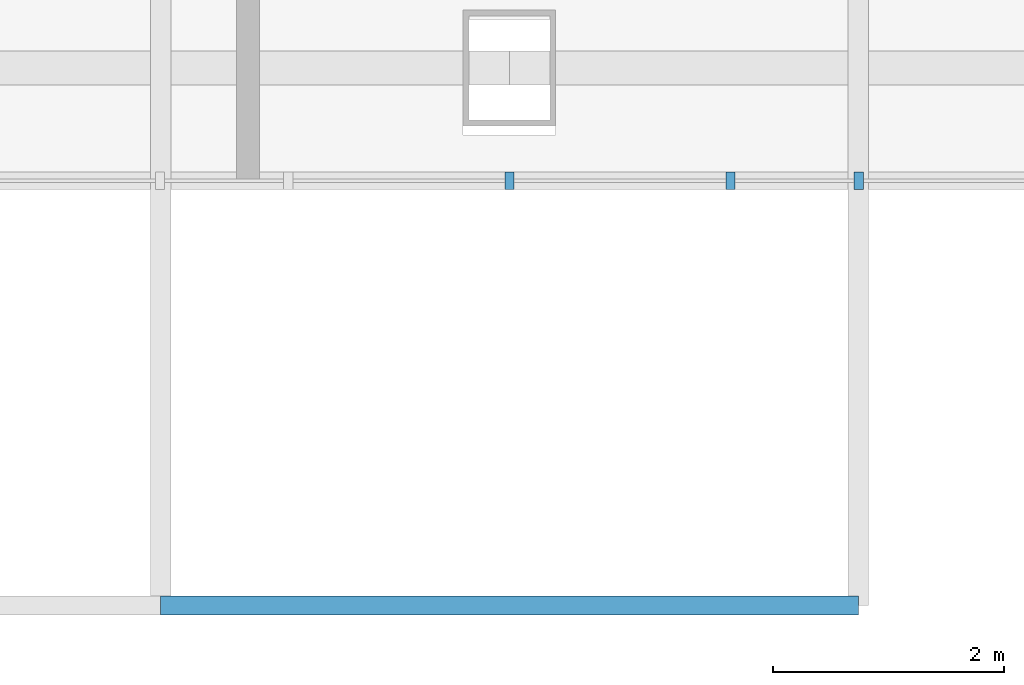
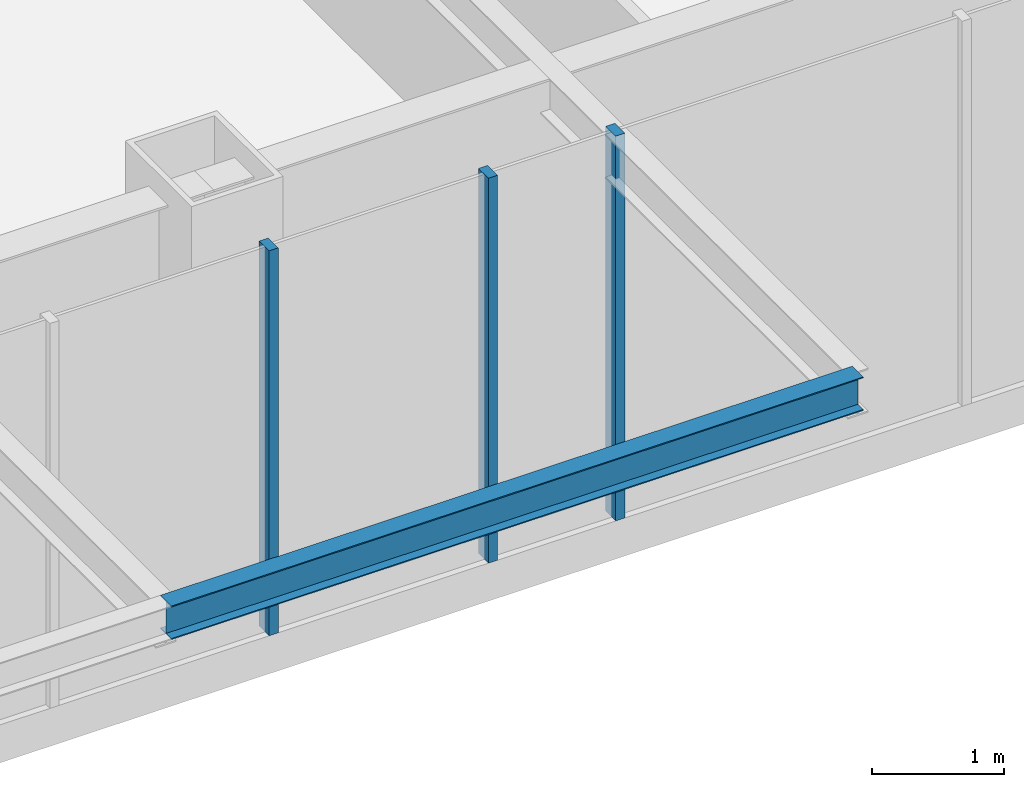
# One storey, part 4 of 35: 3 members, 1 beam, 1 element without a shape of its own.
"""IFC4 building model written with IfcOpenShell, lengths in metres."""

from ifc_helpers import new_model, si_unit, direction, frame, origin, origin_2d, place, context, subcontext, project, spatial, rectangle, i_section, extrude, material, layer, layer_set, material_profile, profile_set, type_object, element, aggregate, save


model = new_model("IFC4")

# Units and contexts
model_context = context("Model", 3, precision=1e-05, world=origin(), true_north=direction((0.0, 1.0)))
body_context = subcontext(model_context, "Body", "Model", "MODEL_VIEW")
ifc_project = project(units=[si_unit("LENGTHUNIT", "METRE"), si_unit("AREAUNIT", "SQUARE_METRE"), si_unit("VOLUMEUNIT", "CUBIC_METRE"), si_unit("PLANEANGLEUNIT", "RADIAN"), si_unit("MASSUNIT", "GRAM", prefix="KILO")], contexts=[model_context])

# Site, building, storey
site_placement = place(None, origin())
site = spatial("IfcSite", under=ifc_project, at=site_placement, CompositionType="ELEMENT")
building_placement = place(site_placement, origin())
building = spatial("IfcBuilding", under=site, at=building_placement, Name="Firuza Gate Tower and Library", CompositionType="ELEMENT")
storey_placement = place(building_placement, frame((0.0, 0.0, 159.699951171875)))
storey = spatial("IfcBuildingStorey", under=building, at=storey_placement, Name="L36", CompositionType="ELEMENT", Elevation=159.699951171875)

# Curtain wall, members
ifc_material_1 = material(Name="Aluminium 6063-T6", Category="aluminium")
ifc_layer = layer(ifc_material_1, 0.14990234375)
ifc_layer_set = layer_set([ifc_layer], Name="Unitised curtain wall, hotel")
curtain_wall_type = type_object("IfcCurtainWallType", Name="Unitised curtain wall, hotel", PredefinedType="NOTDEFINED", material=ifc_layer_set)
curtain_wall_placement = place(storey_placement, origin())
curtain_wall = element("IfcCurtainWall", 1, at=curtain_wall_placement, inside=storey, type_object=curtain_wall_type, Name="CW2 L36 S face", PredefinedType="NOTDEFINED")
ifc_material_2 = material(Name="Aluminium 6063-T6", Category="aluminium")
ifc_material_profile_1 = material_profile(ifc_material_2, rectangle(XDim=0.14990234375, YDim=0.080078125, at=origin_2d()))
ifc_profile_set_1 = profile_set([ifc_material_profile_1], Name="Aluminium 6063-T6")
member_type = type_object("IfcMemberType", Name="Curtain wall mullion 80x150", PredefinedType="MULLION", material=ifc_profile_set_1)
member_1_placement = place(storey_placement, frame((75.0, 55.086181640625, 0.150146484375), z_axis=(0.0, 0.0, 1.0), x_axis=(0.0, 1.0, 0.0)))
member_1 = element("IfcMember", 2, at=member_1_placement, type_object=member_type, Name="Mullion", PredefinedType="MULLION", context=body_context, shape_type="SweptSolid", body=[
    extrude(rectangle(XDim=0.14990234375, YDim=0.080078125, at=origin_2d()), origin(), (0.0, 0.0, 1.0), 3.5498046875),
])
member_2_placement = place(storey_placement, frame((78.022705078125, 55.086181640625, 0.150146484375), z_axis=(0.0, 0.0, 1.0), x_axis=(0.0, 1.0, 0.0)))
member_2 = element("IfcMember", 3, at=member_2_placement, type_object=member_type, Name="Mullion", PredefinedType="MULLION", context=body_context, shape_type="SweptSolid", body=[
    extrude(rectangle(XDim=0.14990234375, YDim=0.080078125, at=origin_2d()), origin(), (0.0, 0.0, 1.0), 3.5498046875),
])
member_3_placement = place(storey_placement, frame((76.912353515625, 55.086181640625, 0.150146484375), z_axis=(0.0, 0.0, 1.0), x_axis=(0.0, 1.0, 0.0)))
member_3 = element("IfcMember", 4, at=member_3_placement, type_object=member_type, Name="Mullion", PredefinedType="MULLION", context=body_context, shape_type="SweptSolid", body=[
    extrude(rectangle(XDim=0.14990234375, YDim=0.080078125, at=origin_2d()), origin(), (0.0, 0.0, 1.0), 3.5498046875),
])
aggregate(curtain_wall, [member_1, member_2, member_3])

# Beam
ifc_material_3 = material(Name="Steel S355", Category="steel")
ifc_material_profile_2 = material_profile(ifc_material_3, i_section(OverallWidth=0.1650390625, OverallDepth=0.31005859375, WebThickness=0.005859375, FlangeThickness=0.009765625, at=origin_2d()))
ifc_profile_set_2 = profile_set([ifc_material_profile_2], Name="Steel S355")
beam_type = type_object("IfcBeamType", Name="W310x39 Floor beam", PredefinedType="JOIST", material=ifc_profile_set_2)
beam_placement = place(storey_placement, frame((71.98193359375, 51.4111328125, 3.545166015625), z_axis=(1.0, 0.0, 0.0), x_axis=(0.0, 1.0, 0.0)))
element("IfcBeam", 5, at=beam_placement, inside=storey, type_object=beam_type, Name="Tray edge beam L36 s22-s23", PredefinedType="JOIST", context=body_context, shape_type="SweptSolid", body=[
    extrude(i_section(OverallWidth=0.1650390625, OverallDepth=0.31005859375, WebThickness=0.005859375, FlangeThickness=0.009765625, at=origin_2d()), origin(), (0.0, 0.0, 1.0), 6.0361328125),
])

save(model, "model.ifc")
